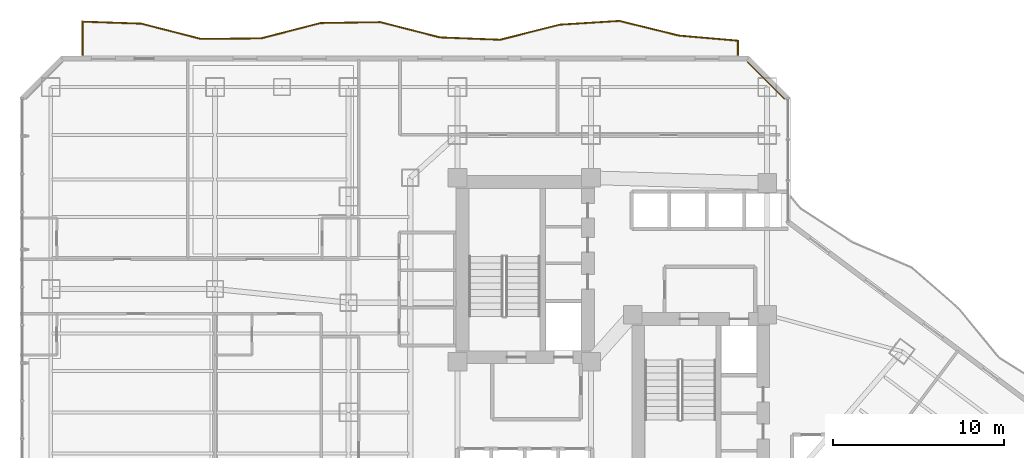
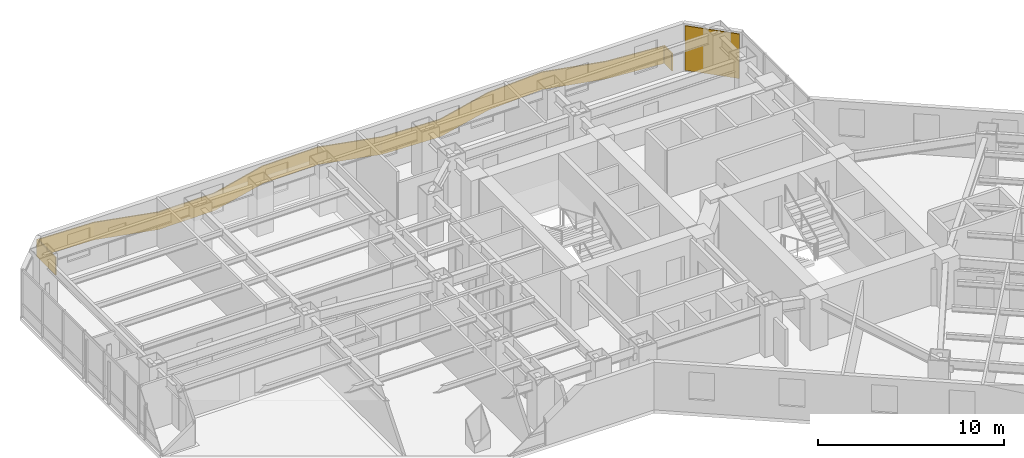
# One storey, part 36 of 37: 1 covering, 1 railing.
"""IFC4 building model written with IfcOpenShell, lengths in metres."""

from ifc_helpers import new_model, si_unit, direction, frame, origin, origin_2d, place, context, subcontext, project, spatial, polyline, rectangle, outline, extrude, material, layer, layer_set, type_object, element, save


model = new_model("IFC4")

# Units and contexts
model_context = context("Model", 3, precision=1e-05, world=origin(), true_north=direction((0.0, 1.0)))
body_context = subcontext(model_context, "Body", "Model", "MODEL_VIEW")
ifc_project = project(units=[si_unit("LENGTHUNIT", "METRE"), si_unit("AREAUNIT", "SQUARE_METRE"), si_unit("VOLUMEUNIT", "CUBIC_METRE"), si_unit("PLANEANGLEUNIT", "RADIAN"), si_unit("MASSUNIT", "GRAM", prefix="KILO")], contexts=[model_context])

# Site, building, storey
site_placement = place(None, origin())
site = spatial("IfcSite", under=ifc_project, at=site_placement, CompositionType="ELEMENT")
building_placement = place(site_placement, origin())
building = spatial("IfcBuilding", under=site, at=building_placement, Name="Hatsunagi Terrace Concourse", CompositionType="ELEMENT")
storey_placement = place(building_placement, frame((0.0, 0.0, 39.949951171875)))
storey = spatial("IfcBuildingStorey", under=building, at=storey_placement, Name="L09", CompositionType="ELEMENT", Elevation=39.949951171875)

# Railing
ifc_material_1 = material(Name="Laminated Glass and Stainless Steel Guard", Category="steel")
ifc_layer_1 = layer(ifc_material_1, 0.070068359375)
ifc_layer_set_1 = layer_set([ifc_layer_1], Name="BalconyGlassGuardRail_1150")
railing_type = type_object("IfcRailingType", Name="BalconyGlassGuardRail_1150", PredefinedType="BALUSTRADE", material=ifc_layer_set_1)
railing_placement = place(storey_placement, origin())
element("IfcRailing", 1, at=railing_placement, inside=storey, type_object=railing_type, Name="Engawa Balcony Guard GRD-01 L09-BN-1", PredefinedType="BALUSTRADE", context=body_context, shape_type="SweptSolid", body=[
    extrude(outline(polyline([(3.614990234375, 50.449951171875), (3.68505859375, 50.449951171875), (3.68505859375, 52.3876953125), (7.0791015625, 52.272216796875), (10.57177734375, 51.3779296875), (14.084716796875, 51.412109375), (17.57568359375, 52.30908203125), (21.044921875, 52.35986328125), (24.532958984375, 51.46826171875), (28.044677734375, 51.331787109375), (31.540283203125, 52.211181640625), (35.010986328125, 52.4306640625), (38.495361328125, 51.574462890625), (41.9150390625, 51.27783203125), (41.9150390625, 50.449951171875), (41.985107421875, 50.449951171875), (41.985107421875, 51.342041015625), (38.506591796875, 51.6435546875), (35.01708984375, 52.501220703125), (31.529541015625, 52.28076171875), (28.037353515625, 51.402099609375), (24.543212890625, 51.537841796875), (21.05322265625, 52.43017578125), (17.56640625, 52.37890625), (14.075439453125, 51.48193359375), (10.580078125, 51.447998046875), (7.089111328125, 52.341796875), (3.614990234375, 52.460205078125), (3.614990234375, 50.449951171875)])), origin(), (0.0, 0.0, 1.0), 1.150146484375),
])

# Covering
ifc_material_2 = material(Name="Unglazed Warm Terracotta Rainscreen Tile", Category="masonry")
ifc_layer_2 = layer(ifc_material_2, 0.044921875)
ifc_layer_set_2 = layer_set([ifc_layer_2], Name="TerracottaRainscreenCladding_45")
covering_type = type_object("IfcCoveringType", Name="TerracottaRainscreenCladding_45", PredefinedType="CLADDING", material=ifc_layer_set_2)
covering_placement = place(storey_placement, frame((43.5859375, 48.986083984375, 0.10009765625), z_axis=(0.0, 0.0, 1.0), x_axis=(0.707106781187, -0.707106781187, 0.0)))
element("IfcCovering", 2, at=covering_placement, inside=storey, type_object=covering_type, Name="Terracotta Rainscreen Cladding L09-12", PredefinedType="CLADDING", context=body_context, shape_type="SweptSolid", body=[
    extrude(rectangle(XDim=3.0380859375, YDim=0.044921875, at=origin_2d()), origin(), (0.0, 0.0, 1.0), 2.929931640625),
])

save(model, "model.ifc")
